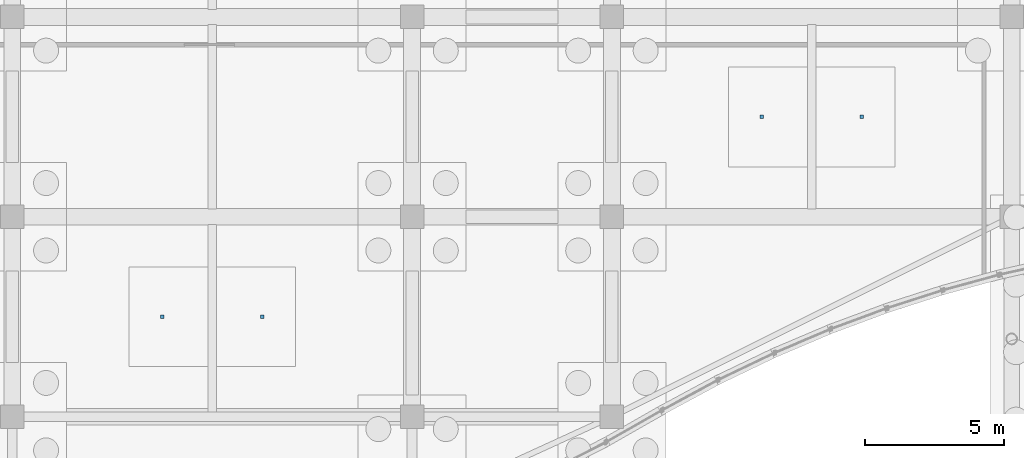
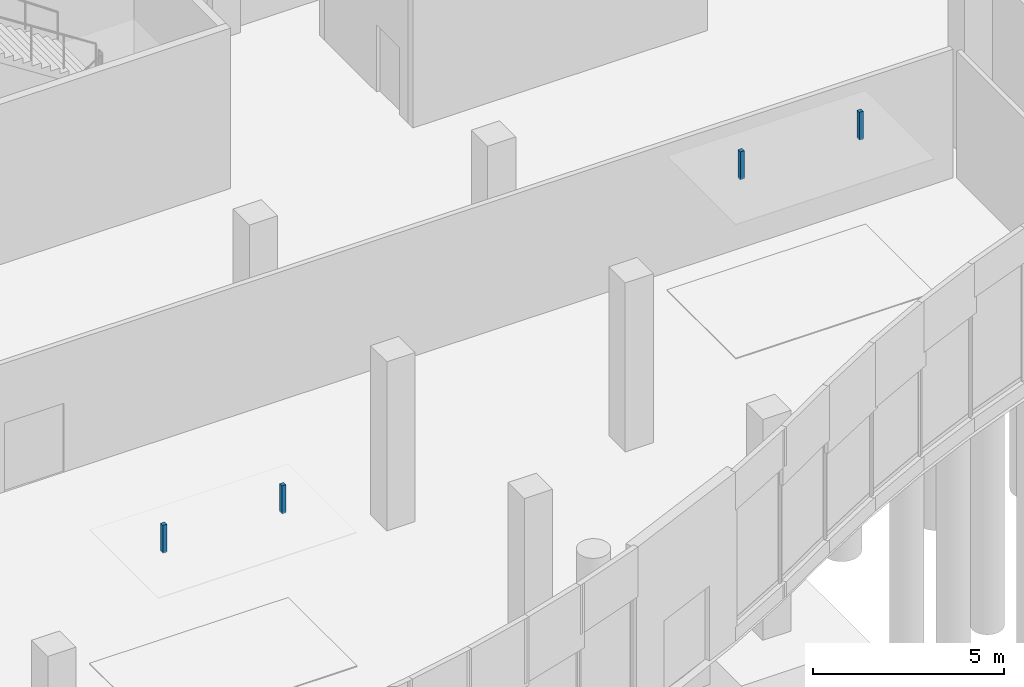
# One storey, part 156 of 192: 4 discrete accessories.
"""IFC4 building model written with IfcOpenShell, lengths in metres."""

from ifc_helpers import new_model, si_unit, direction, frame, origin, origin_2d, place, context, subcontext, project, spatial, rectangle, extrude, material, type_object, element, save


model = new_model("IFC4")

# Units and contexts
model_context = context("Model", 3, precision=1e-05, world=origin(), true_north=direction((0.0, 1.0)))
body_context = subcontext(model_context, "Body", "Model", "MODEL_VIEW")
ifc_project = project(units=[si_unit("LENGTHUNIT", "METRE"), si_unit("AREAUNIT", "SQUARE_METRE"), si_unit("VOLUMEUNIT", "CUBIC_METRE"), si_unit("PLANEANGLEUNIT", "RADIAN"), si_unit("MASSUNIT", "GRAM", prefix="KILO")], contexts=[model_context])

# Site, building, storey
site_placement = place(None, origin())
site = spatial("IfcSite", under=ifc_project, at=site_placement, CompositionType="ELEMENT")
building_placement = place(site_placement, origin())
building = spatial("IfcBuilding", under=site, at=building_placement, Name="Cendralis Lancet Convention Centre", CompositionType="ELEMENT")
storey_placement = place(building_placement, origin())
storey = spatial("IfcBuildingStorey", under=building, at=storey_placement, Name="L00", CompositionType="ELEMENT", Elevation=0.0)

# Discrete accessories
ifc_material = material(Name="Steel S355", Category="steel")
discrete_accessory_type = type_object("IfcDiscreteAccessoryType", Name="ARC-BRK-CLG", PredefinedType="BRACKET", material=ifc_material)
for number, where, z_axis, x_axis, name in (
    (1, (63.0, 10.800048828125, 4.27001953125), (0.0, 0.0, 1.0), (1.0, 0.0, 0.0), "L00 Ceiling Suspension Bracket #03-1"),
    (2, (66.60009765625, 10.800048828125, 4.27001953125), (0.0, 0.0, 1.0), (1.0, 0.0, 0.0), "L00 Ceiling Suspension Bracket #03-2"),
    (3, (84.60009765625, 18.0, 4.27001953125), (0.0, 0.0, 1.0), (1.0, 0.0, 0.0), "L00 Ceiling Suspension Bracket #04-1"),
    (4, (88.199951171875, 18.0, 4.27001953125), (0.0, 0.0, 1.0), (1.0, 0.0, 0.0), "L00 Ceiling Suspension Bracket #04-2"),
):
    element("IfcDiscreteAccessory", number, at=place(storey_placement, frame(where, z_axis=z_axis, x_axis=x_axis)), inside=storey, type_object=discrete_accessory_type, Name=name, PredefinedType="BRACKET", context=body_context, shape_type="SweptSolid", body=[
        extrude(rectangle(XDim=0.1201171875, YDim=0.1201171875, at=origin_2d()), origin(), (0.0, 0.0, 1.0), 0.889892578125),
    ])

save(model, "model.ifc")
